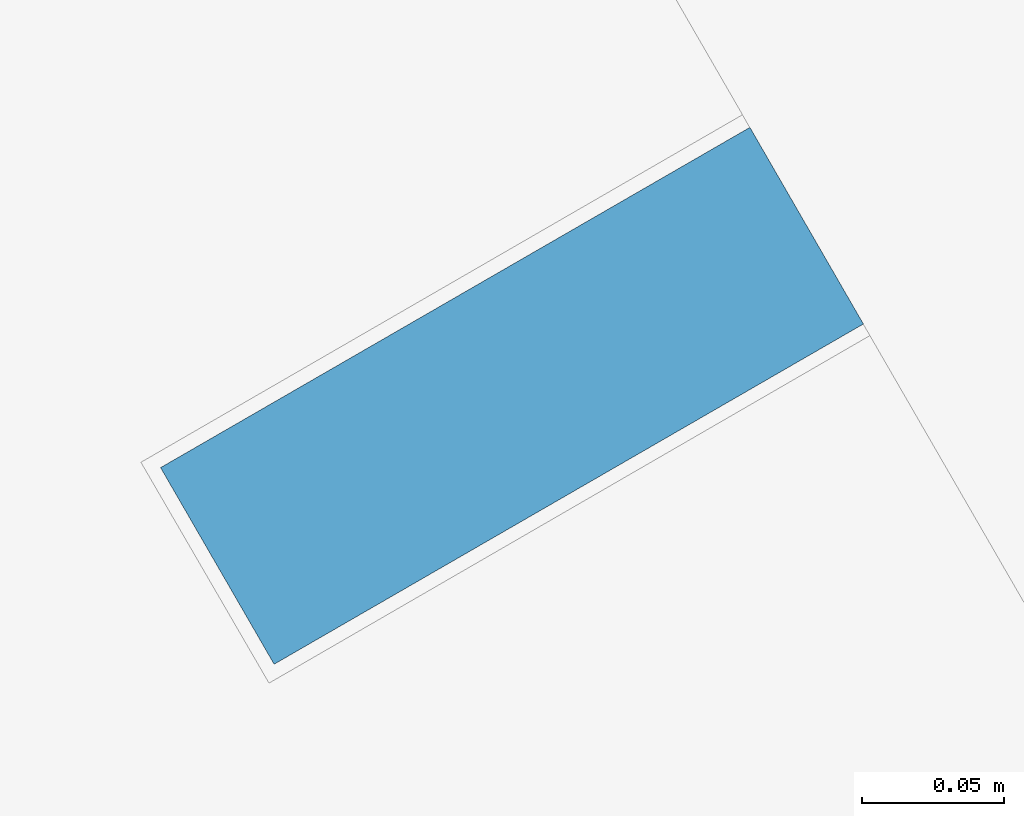
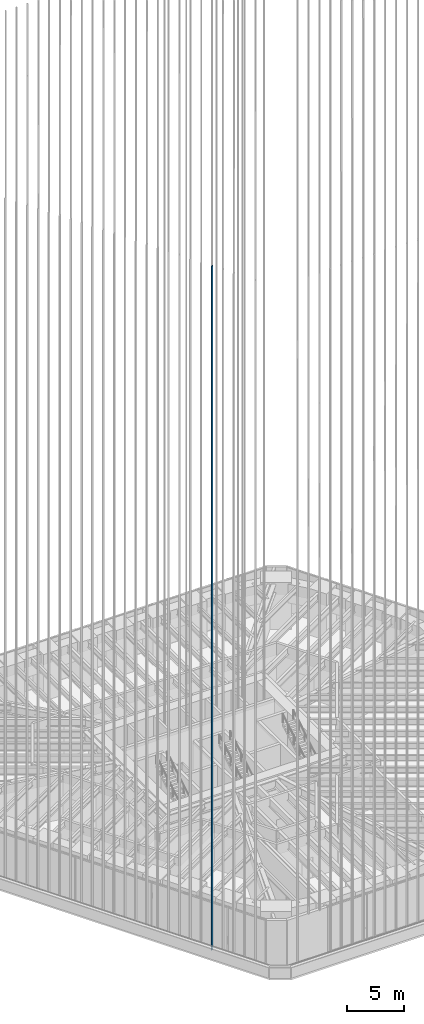
# One storey, part 26 of 228: 1 member, 1 element without a shape of its own.
"""IFC4 building model written with IfcOpenShell, lengths in metres."""

import ifcopenshell
import ifcopenshell.guid

model = None  # the IFC model being written
_history = None  # IfcOwnerHistory: only IFC2X3 demands one
_inside = {}  # id of a spatial element -> (the spatial element, [elements in it])
_under = {}  # id of a project, library or spatial element -> (it, [spatial elements below it])
_declared = {}  # id of a project -> (the project, [libraries it declares])
_typed = {}  # id of a type object -> (the type object, [elements of that type])
_made_of = {}  # id of a material, layer set ... -> (it, [elements and type objects made of it])


def new_model(schema):
    """Start an empty IFC model of exactly this schema.

    Asked for "IFC4X3", IfcOpenShell would pick the latest addendum, in which some entities
    have other attributes; the version numbers below select the first issue.
    IFC2X3 requires an IfcOwnerHistory on every rooted entity: one is made here for all.
    """
    global model, _history
    if schema == "IFC4X3":
        model = ifcopenshell.file(schema_version=(4, 3, 0, 0))
    else:
        model = ifcopenshell.file(schema=schema)
    _inside.clear()
    _under.clear()
    _declared.clear()
    _typed.clear()
    _made_of.clear()
    _history = None
    if model.schema == "IFC2X3":
        org = make("IfcOrganization", Name="unknown")
        user = make(
            "IfcPersonAndOrganization",
            ThePerson=make("IfcPerson", FamilyName="unknown"),
            TheOrganization=org,
        )
        app = make(
            "IfcApplication",
            ApplicationDeveloper=org,
            Version="unknown",
            ApplicationFullName="unknown",
            ApplicationIdentifier="unknown",
        )
        _history = make(
            "IfcOwnerHistory",
            OwningUser=user,
            OwningApplication=app,
            ChangeAction="ADDED",
            CreationDate=0,
        )
    return model


def make(cls, **values):
    """One entity of the class cls with the attributes given. An attribute that is None is left unset."""
    return model.create_entity(
        cls, **{name: value for name, value in values.items() if value is not None}
    )


def rooted(cls, **values):
    """An entity with a GlobalId (a new one), such as an element, a storey or a relation."""
    return make(cls, GlobalId=ifcopenshell.guid.new(), OwnerHistory=_history, **values)


def si_unit(unit_type, name, prefix=None):
    """IfcSIUnit, for example si_unit("LENGTHUNIT", "METRE", prefix="MILLI")."""
    return make("IfcSIUnit", UnitType=unit_type, Prefix=prefix, Name=name)


def assignment(units):
    """IfcUnitAssignment: the units of a project."""
    return None if units is None else make("IfcUnitAssignment", Units=units)


def point(xyz):
    """IfcCartesianPoint."""
    return None if xyz is None else make("IfcCartesianPoint", Coordinates=xyz)


def direction(xyz):
    """IfcDirection."""
    return None if xyz is None else make("IfcDirection", DirectionRatios=xyz)


def frame(location, z_axis=None, x_axis=None):
    """IfcAxis2Placement3D, a coordinate frame: its origin and axes. An axis left out is left unset."""
    return make(
        "IfcAxis2Placement3D",
        Location=point(location),
        Axis=direction(z_axis),
        RefDirection=direction(x_axis),
    )


def frame_2d(location, x_axis=None):
    """IfcAxis2Placement2D, a coordinate frame in the plane: its origin and x axis."""
    return make(
        "IfcAxis2Placement2D", Location=point(location), RefDirection=direction(x_axis)
    )


def origin():
    """The frame at (0, 0, 0) with its axes left unset."""
    return frame((0.0, 0.0, 0.0))


def origin_2d():
    """The frame at (0, 0) in the plane with its x axis left unset."""
    return frame_2d((0.0, 0.0))


def place(relative_to, where):
    """IfcLocalPlacement: puts the frame where relative to a parent placement (None: the world)."""
    return make(
        "IfcLocalPlacement", PlacementRelTo=relative_to, RelativePlacement=where
    )


def context(
    kind, dimensions, precision=None, world=None, true_north=None, identifier=None
):
    """IfcGeometricRepresentationContext, for example the 3D "Model" context."""
    return make(
        "IfcGeometricRepresentationContext",
        ContextIdentifier=identifier,
        ContextType=kind,
        CoordinateSpaceDimension=dimensions,
        Precision=precision,
        WorldCoordinateSystem=world,
        TrueNorth=true_north,
    )


def subcontext(parent, identifier, kind, view, scale=None):
    """IfcGeometricRepresentationSubContext, for example "Body" below "Model"."""
    return make(
        "IfcGeometricRepresentationSubContext",
        ContextIdentifier=identifier,
        ContextType=kind,
        ParentContext=parent,
        TargetScale=scale,
        TargetView=view,
    )


def project(units=None, contexts=None):
    """IfcProject with its units and contexts."""
    return rooted(
        "IfcProject",
        Name="project",
        RepresentationContexts=contexts,
        UnitsInContext=assignment(units),
    )


def spatial(cls, under=None, at=None, **own):
    """A site, building, storey or space (cls), placed at a placement, below another one or the project."""
    s = rooted(cls, ObjectPlacement=at, **own)
    if under is not None:
        _under.setdefault(under.id(), (under, []))[1].append(s)
    return s


def profile(cls, at=None, kind="AREA", **sizes):
    """A parametric profile (cls). Its sizes go by their IFC names, for example OverallWidth=200.0."""
    return make(cls, ProfileType=kind, Position=at, **sizes)


def rectangle(**sizes):
    """IfcRectangleProfileDef."""
    return profile("IfcRectangleProfileDef", **sizes)


def extrude(swept, where, along, depth):
    """IfcExtrudedAreaSolid: the profile swept, set in the frame where, extruded along a direction by depth."""
    return make(
        "IfcExtrudedAreaSolid",
        SweptArea=swept,
        Position=where,
        ExtrudedDirection=direction(along),
        Depth=depth,
    )


def shape(context_of_items, identifier, shape_type, items):
    """IfcShapeRepresentation: the items that make up one representation, for example the "Body"."""
    return make(
        "IfcShapeRepresentation",
        ContextOfItems=context_of_items,
        RepresentationIdentifier=identifier,
        RepresentationType=shape_type,
        Items=items,
    )


def material(Name=None, Category=None):
    """IfcMaterial."""
    return make("IfcMaterial", Name=Name, Category=Category)


def material_profile(
    of_material, cross_section, Name=None, Category=None, Priority=None
):
    """IfcMaterialProfile: a cross section and its material."""
    return make(
        "IfcMaterialProfile",
        Name=Name,
        Material=of_material,
        Profile=cross_section,
        Priority=Priority,
        Category=Category,
    )


def profile_set(profiles, Name=None, composite=None):
    """IfcMaterialProfileSet."""
    return make(
        "IfcMaterialProfileSet",
        Name=Name,
        MaterialProfiles=profiles,
        CompositeProfile=composite,
    )


def made_of(thing, what):
    """Note that an element or type object is made of a material, layer set ...; save() writes the relation."""
    if what is not None:
        _made_of.setdefault(what.id(), (what, []))[1].append(thing)
    return thing


def type_object(cls, material=None, **own):
    """A type object (cls), such as IfcWallType, which elements share."""
    return made_of(rooted(cls, **own), material)


def element(
    cls,
    number,
    at=None,
    inside=None,
    cuts=None,
    type_object=None,
    material=None,
    context=None,
    identifier="Body",
    shape_type=None,
    held_by="IfcProductDefinitionShape",
    body=None,
    shapes=None,
    **own,
):
    """One element of the class cls, such as IfcWall. Its Tag is "e" and its number.

    at: its placement. inside: the storey or other place that contains it. cuts: it is an
    opening in that element (IfcRelVoidsElement). A single representation is given by context,
    identifier, shape_type and body (its items); several are given by shapes. held_by: the class
    of the entity that holds the representations. save() writes the other relations.
    """
    e = rooted(cls, Tag="e%d" % number, ObjectPlacement=at, **own)
    if body is not None:
        shapes = [shape(context, identifier, shape_type, body)]
    if shapes is not None:
        e.Representation = make(held_by, Representations=shapes)
    if inside is not None:
        _inside.setdefault(inside.id(), (inside, []))[1].append(e)
    if cuts is not None:
        rooted(
            "IfcRelVoidsElement", RelatingBuildingElement=cuts, RelatedOpeningElement=e
        )
    if type_object is not None:
        _typed.setdefault(type_object.id(), (type_object, []))[1].append(e)
    return made_of(e, material)


def aggregate(whole, parts):
    """IfcRelAggregates: a whole, such as a stair, and the parts it consists of."""
    return rooted("IfcRelAggregates", RelatingObject=whole, RelatedObjects=parts)


def save(model, path):
    """Write the relations noted so far, then the file.

    IfcRelAggregates (storeys below a building ...), IfcRelContainedInSpatialStructure (elements
    in a storey), IfcRelDefinesByType, IfcRelAssociatesMaterial and IfcRelDeclares: one each for
    every whole, place, type object, material and project.
    """
    for whole, parts in _under.values():
        aggregate(whole, parts)
    for where, things in _inside.values():
        rooted(
            "IfcRelContainedInSpatialStructure",
            RelatedElements=things,
            RelatingStructure=where,
        )
    for kind, things in _typed.values():
        rooted("IfcRelDefinesByType", RelatedObjects=things, RelatingType=kind)
    for what, things in _made_of.values():
        rooted("IfcRelAssociatesMaterial", RelatedObjects=things, RelatingMaterial=what)
    for by, libraries in _declared.values():
        rooted("IfcRelDeclares", RelatingContext=by, RelatedDefinitions=libraries)
    model.write(path)


model = new_model("IFC4")

# Units and contexts
model_context = context("Model", 3, precision=1e-05, world=origin(), true_north=direction((0.0, 1.0)))
body_context = subcontext(model_context, "Body", "Model", "MODEL_VIEW")
ifc_project = project(units=[si_unit("LENGTHUNIT", "METRE"), si_unit("AREAUNIT", "SQUARE_METRE"), si_unit("VOLUMEUNIT", "CUBIC_METRE"), si_unit("PLANEANGLEUNIT", "RADIAN"), si_unit("MASSUNIT", "GRAM", prefix="KILO")], contexts=[model_context])

# Site, building, storey
site_placement = place(None, origin())
site = spatial("IfcSite", under=ifc_project, at=site_placement, CompositionType="ELEMENT")
building_placement = place(site_placement, origin())
building = spatial("IfcBuilding", under=site, at=building_placement, Name="Sandreach Pilgrim Tower", CompositionType="ELEMENT")
storey_placement = place(building_placement, frame((0.0, 0.0, 178.199951171875)))
storey = spatial("IfcBuildingStorey", under=building, at=storey_placement, Name="L44", CompositionType="ELEMENT", Elevation=178.199951171875)

# Curtain wall, member
ifc_material_1 = material(Name="Aluminium framed curtain wall", Category="aluminium")
curtain_wall_type = type_object("IfcCurtainWallType", Name="Upper hotel tower curtain wall", PredefinedType="NOTDEFINED", material=ifc_material_1)
curtain_wall_placement = place(storey_placement, origin())
curtain_wall = element("IfcCurtainWall", 1, at=curtain_wall_placement, inside=storey, type_object=curtain_wall_type, Name="CW-3 L44 SW", PredefinedType="NOTDEFINED")
ifc_material_2 = material(Name="Extruded terracotta on aluminium core", Category="masonry")
ifc_material_profile = material_profile(ifc_material_2, rectangle(XDim=0.080078125, YDim=0.239990234375, at=origin_2d()), Name="TBW 80X240")
ifc_profile_set = profile_set([ifc_material_profile], Name="Extruded terracotta on aluminium core")
member_type = type_object("IfcMemberType", Name="Terracotta baguette west", PredefinedType="USERDEFINED", material=ifc_profile_set)
member_placement = place(storey_placement, frame((-12.627685546875, -21.288330078125, 0.0), z_axis=(0.0, 0.0, 1.0), x_axis=(-0.5, 0.866025403784, 0.0)))
member = element("IfcMember", 2, at=member_placement, type_object=member_type, Name="Baguette Z3 SW05", ObjectType="BAGUETTE", PredefinedType="USERDEFINED", context=body_context, shape_type="SweptSolid", body=[
    extrude(rectangle(XDim=0.080078125, YDim=0.239990234375, at=origin_2d()), origin(), (0.0, 0.0, 1.0), 73.239990234375),
])
aggregate(curtain_wall, [member])

save(model, "model.ifc")
